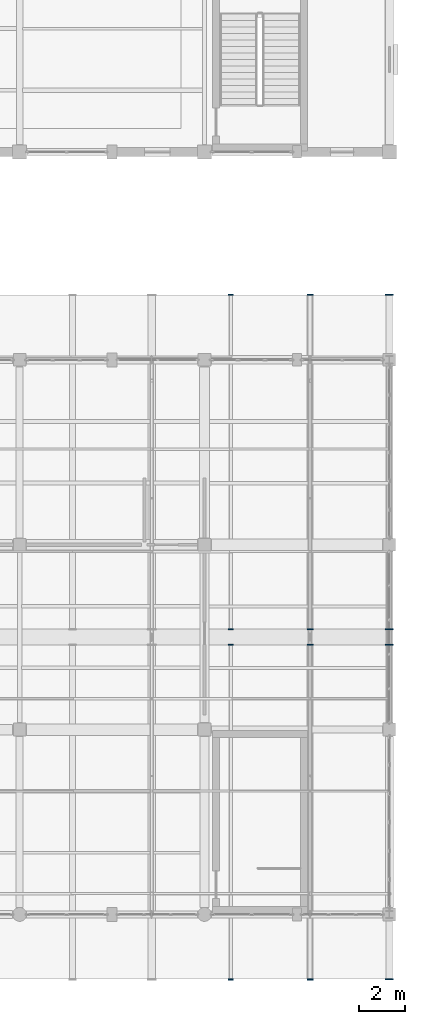
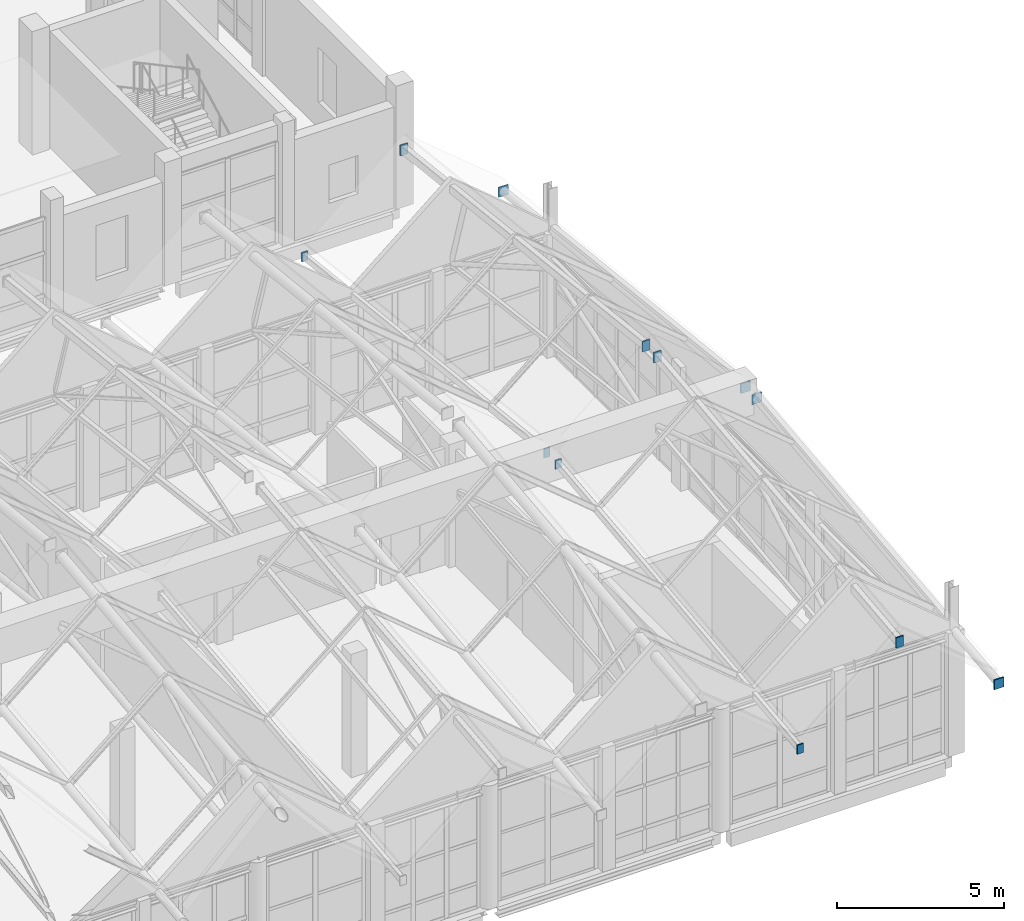
# One storey, part 164 of 183: 12 discrete accessories.
"""IFC4 building model written with IfcOpenShell, lengths in metres."""

import ifcopenshell
import ifcopenshell.guid

model = None  # the IFC model being written
_history = None  # IfcOwnerHistory: only IFC2X3 demands one
_inside = {}  # id of a spatial element -> (the spatial element, [elements in it])
_under = {}  # id of a project, library or spatial element -> (it, [spatial elements below it])
_declared = {}  # id of a project -> (the project, [libraries it declares])
_typed = {}  # id of a type object -> (the type object, [elements of that type])
_made_of = {}  # id of a material, layer set ... -> (it, [elements and type objects made of it])


def new_model(schema):
    """Start an empty IFC model of exactly this schema.

    Asked for "IFC4X3", IfcOpenShell would pick the latest addendum, in which some entities
    have other attributes; the version numbers below select the first issue.
    IFC2X3 requires an IfcOwnerHistory on every rooted entity: one is made here for all.
    """
    global model, _history
    if schema == "IFC4X3":
        model = ifcopenshell.file(schema_version=(4, 3, 0, 0))
    else:
        model = ifcopenshell.file(schema=schema)
    _inside.clear()
    _under.clear()
    _declared.clear()
    _typed.clear()
    _made_of.clear()
    _history = None
    if model.schema == "IFC2X3":
        org = make("IfcOrganization", Name="unknown")
        user = make(
            "IfcPersonAndOrganization",
            ThePerson=make("IfcPerson", FamilyName="unknown"),
            TheOrganization=org,
        )
        app = make(
            "IfcApplication",
            ApplicationDeveloper=org,
            Version="unknown",
            ApplicationFullName="unknown",
            ApplicationIdentifier="unknown",
        )
        _history = make(
            "IfcOwnerHistory",
            OwningUser=user,
            OwningApplication=app,
            ChangeAction="ADDED",
            CreationDate=0,
        )
    return model


def make(cls, **values):
    """One entity of the class cls with the attributes given. An attribute that is None is left unset."""
    return model.create_entity(
        cls, **{name: value for name, value in values.items() if value is not None}
    )


def rooted(cls, **values):
    """An entity with a GlobalId (a new one), such as an element, a storey or a relation."""
    return make(cls, GlobalId=ifcopenshell.guid.new(), OwnerHistory=_history, **values)


def si_unit(unit_type, name, prefix=None):
    """IfcSIUnit, for example si_unit("LENGTHUNIT", "METRE", prefix="MILLI")."""
    return make("IfcSIUnit", UnitType=unit_type, Prefix=prefix, Name=name)


def assignment(units):
    """IfcUnitAssignment: the units of a project."""
    return None if units is None else make("IfcUnitAssignment", Units=units)


def point(xyz):
    """IfcCartesianPoint."""
    return None if xyz is None else make("IfcCartesianPoint", Coordinates=xyz)


def direction(xyz):
    """IfcDirection."""
    return None if xyz is None else make("IfcDirection", DirectionRatios=xyz)


def frame(location, z_axis=None, x_axis=None):
    """IfcAxis2Placement3D, a coordinate frame: its origin and axes. An axis left out is left unset."""
    return make(
        "IfcAxis2Placement3D",
        Location=point(location),
        Axis=direction(z_axis),
        RefDirection=direction(x_axis),
    )


def frame_2d(location, x_axis=None):
    """IfcAxis2Placement2D, a coordinate frame in the plane: its origin and x axis."""
    return make(
        "IfcAxis2Placement2D", Location=point(location), RefDirection=direction(x_axis)
    )


def origin():
    """The frame at (0, 0, 0) with its axes left unset."""
    return frame((0.0, 0.0, 0.0))


def origin_2d():
    """The frame at (0, 0) in the plane with its x axis left unset."""
    return frame_2d((0.0, 0.0))


def place(relative_to, where):
    """IfcLocalPlacement: puts the frame where relative to a parent placement (None: the world)."""
    return make(
        "IfcLocalPlacement", PlacementRelTo=relative_to, RelativePlacement=where
    )


def context(
    kind, dimensions, precision=None, world=None, true_north=None, identifier=None
):
    """IfcGeometricRepresentationContext, for example the 3D "Model" context."""
    return make(
        "IfcGeometricRepresentationContext",
        ContextIdentifier=identifier,
        ContextType=kind,
        CoordinateSpaceDimension=dimensions,
        Precision=precision,
        WorldCoordinateSystem=world,
        TrueNorth=true_north,
    )


def subcontext(parent, identifier, kind, view, scale=None):
    """IfcGeometricRepresentationSubContext, for example "Body" below "Model"."""
    return make(
        "IfcGeometricRepresentationSubContext",
        ContextIdentifier=identifier,
        ContextType=kind,
        ParentContext=parent,
        TargetScale=scale,
        TargetView=view,
    )


def project(units=None, contexts=None):
    """IfcProject with its units and contexts."""
    return rooted(
        "IfcProject",
        Name="project",
        RepresentationContexts=contexts,
        UnitsInContext=assignment(units),
    )


def spatial(cls, under=None, at=None, **own):
    """A site, building, storey or space (cls), placed at a placement, below another one or the project."""
    s = rooted(cls, ObjectPlacement=at, **own)
    if under is not None:
        _under.setdefault(under.id(), (under, []))[1].append(s)
    return s


def profile(cls, at=None, kind="AREA", **sizes):
    """A parametric profile (cls). Its sizes go by their IFC names, for example OverallWidth=200.0."""
    return make(cls, ProfileType=kind, Position=at, **sizes)


def rectangle(**sizes):
    """IfcRectangleProfileDef."""
    return profile("IfcRectangleProfileDef", **sizes)


def extrude(swept, where, along, depth):
    """IfcExtrudedAreaSolid: the profile swept, set in the frame where, extruded along a direction by depth."""
    return make(
        "IfcExtrudedAreaSolid",
        SweptArea=swept,
        Position=where,
        ExtrudedDirection=direction(along),
        Depth=depth,
    )


def shape(context_of_items, identifier, shape_type, items):
    """IfcShapeRepresentation: the items that make up one representation, for example the "Body"."""
    return make(
        "IfcShapeRepresentation",
        ContextOfItems=context_of_items,
        RepresentationIdentifier=identifier,
        RepresentationType=shape_type,
        Items=items,
    )


def material(Name=None, Category=None):
    """IfcMaterial."""
    return make("IfcMaterial", Name=Name, Category=Category)


def made_of(thing, what):
    """Note that an element or type object is made of a material, layer set ...; save() writes the relation."""
    if what is not None:
        _made_of.setdefault(what.id(), (what, []))[1].append(thing)
    return thing


def type_object(cls, material=None, **own):
    """A type object (cls), such as IfcWallType, which elements share."""
    return made_of(rooted(cls, **own), material)


def element(
    cls,
    number,
    at=None,
    inside=None,
    cuts=None,
    type_object=None,
    material=None,
    context=None,
    identifier="Body",
    shape_type=None,
    held_by="IfcProductDefinitionShape",
    body=None,
    shapes=None,
    **own,
):
    """One element of the class cls, such as IfcWall. Its Tag is "e" and its number.

    at: its placement. inside: the storey or other place that contains it. cuts: it is an
    opening in that element (IfcRelVoidsElement). A single representation is given by context,
    identifier, shape_type and body (its items); several are given by shapes. held_by: the class
    of the entity that holds the representations. save() writes the other relations.
    """
    e = rooted(cls, Tag="e%d" % number, ObjectPlacement=at, **own)
    if body is not None:
        shapes = [shape(context, identifier, shape_type, body)]
    if shapes is not None:
        e.Representation = make(held_by, Representations=shapes)
    if inside is not None:
        _inside.setdefault(inside.id(), (inside, []))[1].append(e)
    if cuts is not None:
        rooted(
            "IfcRelVoidsElement", RelatingBuildingElement=cuts, RelatedOpeningElement=e
        )
    if type_object is not None:
        _typed.setdefault(type_object.id(), (type_object, []))[1].append(e)
    return made_of(e, material)


def aggregate(whole, parts):
    """IfcRelAggregates: a whole, such as a stair, and the parts it consists of."""
    return rooted("IfcRelAggregates", RelatingObject=whole, RelatedObjects=parts)


def save(model, path):
    """Write the relations noted so far, then the file.

    IfcRelAggregates (storeys below a building ...), IfcRelContainedInSpatialStructure (elements
    in a storey), IfcRelDefinesByType, IfcRelAssociatesMaterial and IfcRelDeclares: one each for
    every whole, place, type object, material and project.
    """
    for whole, parts in _under.values():
        aggregate(whole, parts)
    for where, things in _inside.values():
        rooted(
            "IfcRelContainedInSpatialStructure",
            RelatedElements=things,
            RelatingStructure=where,
        )
    for kind, things in _typed.values():
        rooted("IfcRelDefinesByType", RelatedObjects=things, RelatingType=kind)
    for what, things in _made_of.values():
        rooted("IfcRelAssociatesMaterial", RelatedObjects=things, RelatingMaterial=what)
    for by, libraries in _declared.values():
        rooted("IfcRelDeclares", RelatingContext=by, RelatedDefinitions=libraries)
    model.write(path)


model = new_model("IFC4")

# Units and contexts
model_context = context("Model", 3, precision=1e-05, world=origin(), true_north=direction((0.0, 1.0)))
body_context = subcontext(model_context, "Body", "Model", "MODEL_VIEW")
ifc_project = project(units=[si_unit("LENGTHUNIT", "METRE"), si_unit("AREAUNIT", "SQUARE_METRE"), si_unit("VOLUMEUNIT", "CUBIC_METRE"), si_unit("PLANEANGLEUNIT", "RADIAN"), si_unit("MASSUNIT", "GRAM", prefix="KILO")], contexts=[model_context])

# Site, building, storey
site_placement = place(None, origin())
site = spatial("IfcSite", under=ifc_project, at=site_placement, CompositionType="ELEMENT")
building_placement = place(site_placement, origin())
building = spatial("IfcBuilding", under=site, at=building_placement, Name="Luwemba Playhouse", CompositionType="ELEMENT")
storey_placement = place(building_placement, frame((0.0, 0.0, 4.800048828125)))
storey = spatial("IfcBuildingStorey", under=building, at=storey_placement, Name="L01", CompositionType="ELEMENT", Elevation=4.800048828125)

# Discrete accessories
ifc_material = material(Name="Steel S355", Category="steel")
discrete_accessory_type = type_object("IfcDiscreteAccessoryType", Name="ACC-ENDCAP-S355", PredefinedType="BRACKET", material=ifc_material)
for number, where, z_axis, x_axis, name in (
    (1, (165.142822265625, 0.18505859375, 3.99951171875), (0.0, 0.0, 1.0), (1.0, 0.0, 0.0), "Welded RHS end cap plate 0425"),
    (2, (165.142822265625, 14.664794921875, 5.621337890625), (0.0, 0.0, 1.0), (1.0, 0.0, 0.0), "Welded RHS end cap plate 0426"),
    (3, (165.142822265625, 15.335205078125, 5.621337890625), (0.0, 0.0, 1.0), (1.0, 0.0, 0.0), "Welded RHS end cap plate 0427"),
    (4, (165.142822265625, 29.81494140625, 3.99951171875), (0.0, 0.0, 1.0), (1.0, 0.0, 0.0), "Welded RHS end cap plate 0428"),
):
    element("IfcDiscreteAccessory", number, at=place(storey_placement, frame(where, z_axis=z_axis, x_axis=x_axis)), inside=storey, type_object=discrete_accessory_type, Name=name, PredefinedType="BRACKET", context=body_context, shape_type="SweptSolid", body=[
        extrude(rectangle(XDim=0.2099609375, YDim=0.044921875, at=origin_2d()), origin(), (0.0, 0.0, 1.0), 0.330078125),
    ])
for number, where, z_axis, x_axis, name in (
    (5, (168.5712890625, 0.18505859375, 6.678955078125), (0.0, 0.0, 1.0), (1.0, 0.0, 0.0), "Welded RHS end cap plate 0429"),
    (6, (168.5712890625, 14.664794921875, 8.30078125), (0.0, 0.0, 1.0), (1.0, 0.0, 0.0), "Welded RHS end cap plate 0430"),
    (7, (168.5712890625, 15.335205078125, 8.30078125), (0.0, 0.0, 1.0), (1.0, 0.0, 0.0), "Welded RHS end cap plate 0431"),
    (8, (168.5712890625, 29.81494140625, 6.678955078125), (0.0, 0.0, 1.0), (1.0, 0.0, 0.0), "Welded RHS end cap plate 0432"),
):
    element("IfcDiscreteAccessory", number, at=place(storey_placement, frame(where, z_axis=z_axis, x_axis=x_axis)), inside=storey, type_object=discrete_accessory_type, Name=name, PredefinedType="BRACKET", context=body_context, shape_type="SweptSolid", body=[
        extrude(rectangle(XDim=0.260009765625, YDim=0.044921875, at=origin_2d()), origin(), (0.0, 0.0, 1.0), 0.3798828125),
    ])
for number, where, z_axis, x_axis, name in (
    (9, (172.0, 0.18505859375, 3.9765625), (0.0, 0.0, 1.0), (1.0, 0.0, 0.0), "Welded RHS end cap plate 0433"),
    (10, (172.0, 14.664794921875, 5.598388671875), (0.0, 0.0, 1.0), (1.0, 0.0, 0.0), "Welded RHS end cap plate 0434"),
    (11, (172.0, 15.335205078125, 5.598388671875), (0.0, 0.0, 1.0), (1.0, 0.0, 0.0), "Welded RHS end cap plate 0435"),
    (12, (172.0, 29.81494140625, 3.9765625), (0.0, 0.0, 1.0), (1.0, 0.0, 0.0), "Welded RHS end cap plate 0436"),
):
    element("IfcDiscreteAccessory", number, at=place(storey_placement, frame(where, z_axis=z_axis, x_axis=x_axis)), inside=storey, type_object=discrete_accessory_type, Name=name, PredefinedType="BRACKET", context=body_context, shape_type="SweptSolid", body=[
        extrude(rectangle(XDim=0.3330078125, YDim=0.044921875, at=origin_2d()), origin(), (0.0, 0.0, 1.0), 0.35302734375),
    ])

save(model, "model.ifc")
